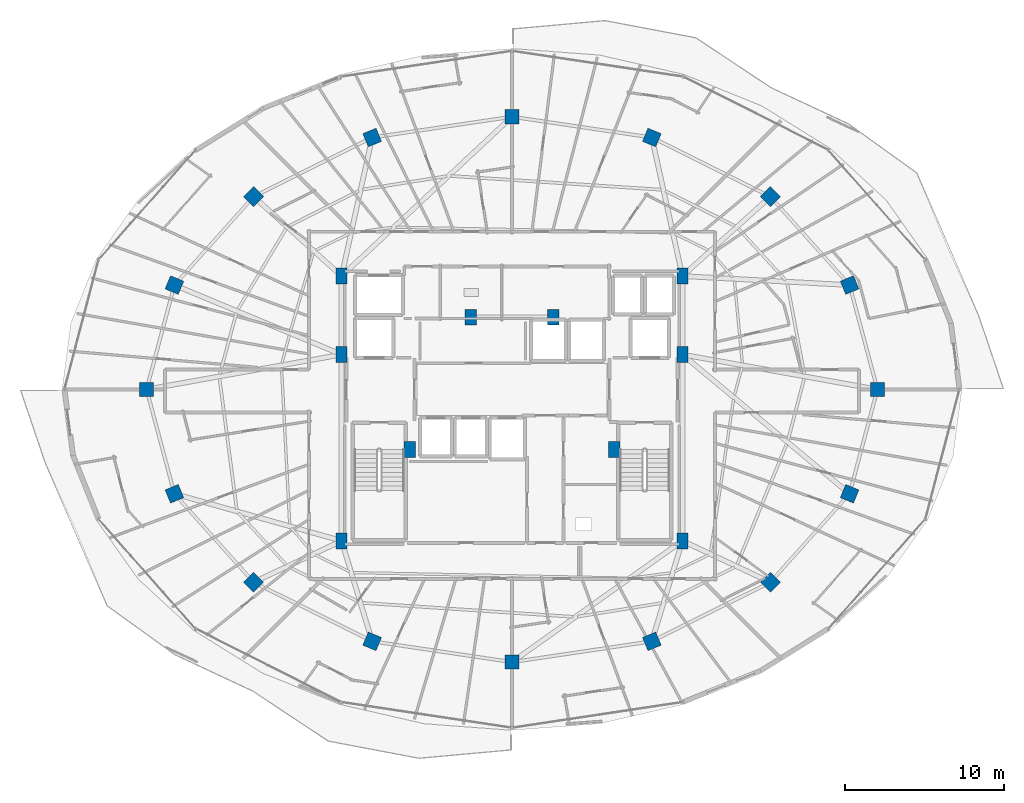
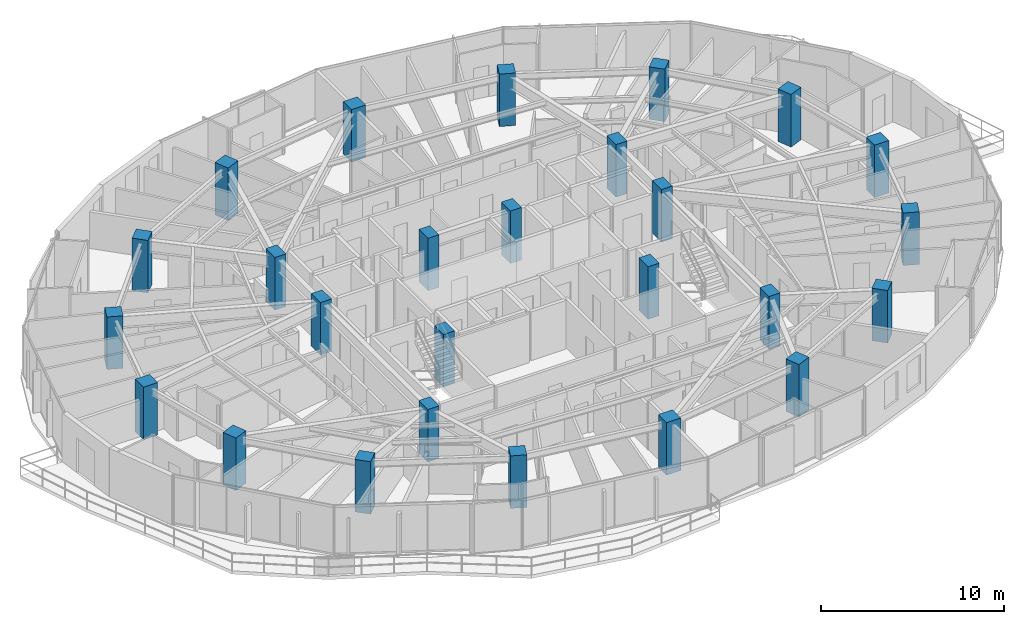
# One storey, part 1 of 33: 26 columns.
"""IFC4 building model written with IfcOpenShell, lengths in metres."""

import ifcopenshell
import ifcopenshell.guid

model = None  # the IFC model being written
_history = None  # IfcOwnerHistory: only IFC2X3 demands one
_inside = {}  # id of a spatial element -> (the spatial element, [elements in it])
_under = {}  # id of a project, library or spatial element -> (it, [spatial elements below it])
_declared = {}  # id of a project -> (the project, [libraries it declares])
_typed = {}  # id of a type object -> (the type object, [elements of that type])
_made_of = {}  # id of a material, layer set ... -> (it, [elements and type objects made of it])


def new_model(schema):
    """Start an empty IFC model of exactly this schema.

    Asked for "IFC4X3", IfcOpenShell would pick the latest addendum, in which some entities
    have other attributes; the version numbers below select the first issue.
    IFC2X3 requires an IfcOwnerHistory on every rooted entity: one is made here for all.
    """
    global model, _history
    if schema == "IFC4X3":
        model = ifcopenshell.file(schema_version=(4, 3, 0, 0))
    else:
        model = ifcopenshell.file(schema=schema)
    _inside.clear()
    _under.clear()
    _declared.clear()
    _typed.clear()
    _made_of.clear()
    _history = None
    if model.schema == "IFC2X3":
        org = make("IfcOrganization", Name="unknown")
        user = make(
            "IfcPersonAndOrganization",
            ThePerson=make("IfcPerson", FamilyName="unknown"),
            TheOrganization=org,
        )
        app = make(
            "IfcApplication",
            ApplicationDeveloper=org,
            Version="unknown",
            ApplicationFullName="unknown",
            ApplicationIdentifier="unknown",
        )
        _history = make(
            "IfcOwnerHistory",
            OwningUser=user,
            OwningApplication=app,
            ChangeAction="ADDED",
            CreationDate=0,
        )
    return model


def make(cls, **values):
    """One entity of the class cls with the attributes given. An attribute that is None is left unset."""
    return model.create_entity(
        cls, **{name: value for name, value in values.items() if value is not None}
    )


def rooted(cls, **values):
    """An entity with a GlobalId (a new one), such as an element, a storey or a relation."""
    return make(cls, GlobalId=ifcopenshell.guid.new(), OwnerHistory=_history, **values)


def si_unit(unit_type, name, prefix=None):
    """IfcSIUnit, for example si_unit("LENGTHUNIT", "METRE", prefix="MILLI")."""
    return make("IfcSIUnit", UnitType=unit_type, Prefix=prefix, Name=name)


def assignment(units):
    """IfcUnitAssignment: the units of a project."""
    return None if units is None else make("IfcUnitAssignment", Units=units)


def point(xyz):
    """IfcCartesianPoint."""
    return None if xyz is None else make("IfcCartesianPoint", Coordinates=xyz)


def direction(xyz):
    """IfcDirection."""
    return None if xyz is None else make("IfcDirection", DirectionRatios=xyz)


def frame(location, z_axis=None, x_axis=None):
    """IfcAxis2Placement3D, a coordinate frame: its origin and axes. An axis left out is left unset."""
    return make(
        "IfcAxis2Placement3D",
        Location=point(location),
        Axis=direction(z_axis),
        RefDirection=direction(x_axis),
    )


def frame_2d(location, x_axis=None):
    """IfcAxis2Placement2D, a coordinate frame in the plane: its origin and x axis."""
    return make(
        "IfcAxis2Placement2D", Location=point(location), RefDirection=direction(x_axis)
    )


def origin():
    """The frame at (0, 0, 0) with its axes left unset."""
    return frame((0.0, 0.0, 0.0))


def origin_2d():
    """The frame at (0, 0) in the plane with its x axis left unset."""
    return frame_2d((0.0, 0.0))


def place(relative_to, where):
    """IfcLocalPlacement: puts the frame where relative to a parent placement (None: the world)."""
    return make(
        "IfcLocalPlacement", PlacementRelTo=relative_to, RelativePlacement=where
    )


def context(
    kind, dimensions, precision=None, world=None, true_north=None, identifier=None
):
    """IfcGeometricRepresentationContext, for example the 3D "Model" context."""
    return make(
        "IfcGeometricRepresentationContext",
        ContextIdentifier=identifier,
        ContextType=kind,
        CoordinateSpaceDimension=dimensions,
        Precision=precision,
        WorldCoordinateSystem=world,
        TrueNorth=true_north,
    )


def subcontext(parent, identifier, kind, view, scale=None):
    """IfcGeometricRepresentationSubContext, for example "Body" below "Model"."""
    return make(
        "IfcGeometricRepresentationSubContext",
        ContextIdentifier=identifier,
        ContextType=kind,
        ParentContext=parent,
        TargetScale=scale,
        TargetView=view,
    )


def project(units=None, contexts=None):
    """IfcProject with its units and contexts."""
    return rooted(
        "IfcProject",
        Name="project",
        RepresentationContexts=contexts,
        UnitsInContext=assignment(units),
    )


def spatial(cls, under=None, at=None, **own):
    """A site, building, storey or space (cls), placed at a placement, below another one or the project."""
    s = rooted(cls, ObjectPlacement=at, **own)
    if under is not None:
        _under.setdefault(under.id(), (under, []))[1].append(s)
    return s


def profile(cls, at=None, kind="AREA", **sizes):
    """A parametric profile (cls). Its sizes go by their IFC names, for example OverallWidth=200.0."""
    return make(cls, ProfileType=kind, Position=at, **sizes)


def rectangle(**sizes):
    """IfcRectangleProfileDef."""
    return profile("IfcRectangleProfileDef", **sizes)


def extrude(swept, where, along, depth):
    """IfcExtrudedAreaSolid: the profile swept, set in the frame where, extruded along a direction by depth."""
    return make(
        "IfcExtrudedAreaSolid",
        SweptArea=swept,
        Position=where,
        ExtrudedDirection=direction(along),
        Depth=depth,
    )


def shape(context_of_items, identifier, shape_type, items):
    """IfcShapeRepresentation: the items that make up one representation, for example the "Body"."""
    return make(
        "IfcShapeRepresentation",
        ContextOfItems=context_of_items,
        RepresentationIdentifier=identifier,
        RepresentationType=shape_type,
        Items=items,
    )


def material(Name=None, Category=None):
    """IfcMaterial."""
    return make("IfcMaterial", Name=Name, Category=Category)


def material_profile(
    of_material, cross_section, Name=None, Category=None, Priority=None
):
    """IfcMaterialProfile: a cross section and its material."""
    return make(
        "IfcMaterialProfile",
        Name=Name,
        Material=of_material,
        Profile=cross_section,
        Priority=Priority,
        Category=Category,
    )


def profile_set(profiles, Name=None, composite=None):
    """IfcMaterialProfileSet."""
    return make(
        "IfcMaterialProfileSet",
        Name=Name,
        MaterialProfiles=profiles,
        CompositeProfile=composite,
    )


def made_of(thing, what):
    """Note that an element or type object is made of a material, layer set ...; save() writes the relation."""
    if what is not None:
        _made_of.setdefault(what.id(), (what, []))[1].append(thing)
    return thing


def type_object(cls, material=None, **own):
    """A type object (cls), such as IfcWallType, which elements share."""
    return made_of(rooted(cls, **own), material)


def element(
    cls,
    number,
    at=None,
    inside=None,
    cuts=None,
    type_object=None,
    material=None,
    context=None,
    identifier="Body",
    shape_type=None,
    held_by="IfcProductDefinitionShape",
    body=None,
    shapes=None,
    **own,
):
    """One element of the class cls, such as IfcWall. Its Tag is "e" and its number.

    at: its placement. inside: the storey or other place that contains it. cuts: it is an
    opening in that element (IfcRelVoidsElement). A single representation is given by context,
    identifier, shape_type and body (its items); several are given by shapes. held_by: the class
    of the entity that holds the representations. save() writes the other relations.
    """
    e = rooted(cls, Tag="e%d" % number, ObjectPlacement=at, **own)
    if body is not None:
        shapes = [shape(context, identifier, shape_type, body)]
    if shapes is not None:
        e.Representation = make(held_by, Representations=shapes)
    if inside is not None:
        _inside.setdefault(inside.id(), (inside, []))[1].append(e)
    if cuts is not None:
        rooted(
            "IfcRelVoidsElement", RelatingBuildingElement=cuts, RelatedOpeningElement=e
        )
    if type_object is not None:
        _typed.setdefault(type_object.id(), (type_object, []))[1].append(e)
    return made_of(e, material)


def aggregate(whole, parts):
    """IfcRelAggregates: a whole, such as a stair, and the parts it consists of."""
    return rooted("IfcRelAggregates", RelatingObject=whole, RelatedObjects=parts)


def save(model, path):
    """Write the relations noted so far, then the file.

    IfcRelAggregates (storeys below a building ...), IfcRelContainedInSpatialStructure (elements
    in a storey), IfcRelDefinesByType, IfcRelAssociatesMaterial and IfcRelDeclares: one each for
    every whole, place, type object, material and project.
    """
    for whole, parts in _under.values():
        aggregate(whole, parts)
    for where, things in _inside.values():
        rooted(
            "IfcRelContainedInSpatialStructure",
            RelatedElements=things,
            RelatingStructure=where,
        )
    for kind, things in _typed.values():
        rooted("IfcRelDefinesByType", RelatedObjects=things, RelatingType=kind)
    for what, things in _made_of.values():
        rooted("IfcRelAssociatesMaterial", RelatedObjects=things, RelatingMaterial=what)
    for by, libraries in _declared.values():
        rooted("IfcRelDeclares", RelatingContext=by, RelatedDefinitions=libraries)
    model.write(path)


model = new_model("IFC4")

# Units and contexts
model_context = context("Model", 3, precision=1e-05, world=origin(), true_north=direction((0.0, 1.0)))
body_context = subcontext(model_context, "Body", "Model", "MODEL_VIEW")
ifc_project = project(units=[si_unit("LENGTHUNIT", "METRE"), si_unit("AREAUNIT", "SQUARE_METRE"), si_unit("VOLUMEUNIT", "CUBIC_METRE"), si_unit("PLANEANGLEUNIT", "RADIAN"), si_unit("MASSUNIT", "GRAM", prefix="KILO")], contexts=[model_context])

# Site, building, storey
site_placement = place(None, origin())
site = spatial("IfcSite", under=ifc_project, at=site_placement, CompositionType="ELEMENT")
building_placement = place(site_placement, origin())
building = spatial("IfcBuilding", under=site, at=building_placement, Name="Vorneva Point Tower", CompositionType="ELEMENT")
storey_placement = place(building_placement, frame((0.0, 0.0, 179.10009765625)))
storey = spatial("IfcBuildingStorey", under=building, at=storey_placement, Name="L48", CompositionType="ELEMENT", Elevation=179.10009765625)

# Columns
ifc_material = material(Name="Concrete B50 (C40/50)", Category="concrete")
ifc_material_profile_1 = material_profile(ifc_material, rectangle(XDim=0.89990234375, YDim=0.89990234375, at=origin_2d()), Name="RC-COL 900x900")
ifc_profile_set_1 = profile_set([ifc_material_profile_1], Name="Concrete B50 (C40/50)")
column_type_1 = type_object("IfcColumnType", Name="COL-RC900", PredefinedType="COLUMN", material=ifc_profile_set_1)
for number, where, z_axis, x_axis, name in (
    (1, (61.050048828125, 26.0, 0.0), (0.0, 0.0, 1.0), (1.0, 0.0, 0.0), "L48 Perimeter Column P01"),
    (2, (59.29541015625, 32.582275390625, 0.0), (0.0, 0.0, 1.0), (0.923879532511, 0.382683432365, 0.0), "L48 Perimeter Column P02"),
    (3, (54.298828125, 38.162109375, 0.0), (0.0, 0.0, 1.0), (0.707106781187, 0.707106781187, 0.0), "L48 Perimeter Column P03"),
    (4, (46.82080078125, 41.890625, 0.0), (0.0, 0.0, 1.0), (0.382683432365, 0.923879532511, 0.0), "L48 Perimeter Column P04"),
    (5, (38.0, 43.199951171875, 0.0), (0.0, 0.0, 1.0), (0.0, 1.0, 0.0), "L48 Perimeter Column P05"),
    (6, (29.17919921875, 41.890625, 0.0), (0.0, 0.0, 1.0), (-0.382683432365, 0.923879532511, 0.0), "L48 Perimeter Column P06"),
    (7, (21.701171875, 38.162109375, 0.0), (0.0, 0.0, 1.0), (-0.707106781187, 0.707106781187, 0.0), "L48 Perimeter Column P07"),
    (8, (16.70458984375, 32.582275390625, 0.0), (0.0, 0.0, 1.0), (-0.923879532511, 0.382683432365, 0.0), "L48 Perimeter Column P08"),
    (9, (14.949951171875, 26.0, 0.0), (0.0, 0.0, 1.0), (-1.0, 0.0, 0.0), "L48 Perimeter Column P09"),
    (10, (16.70458984375, 19.417724609375, 0.0), (0.0, 0.0, 1.0), (-0.923879532511, -0.382683432365, 0.0), "L48 Perimeter Column P10"),
    (11, (21.701171875, 13.837890625, 0.0), (0.0, 0.0, 1.0), (-0.707106781187, -0.707106781187, 0.0), "L48 Perimeter Column P11"),
    (12, (29.17919921875, 10.109375, 0.0), (0.0, 0.0, 1.0), (-0.382683432365, -0.923879532511, 0.0), "L48 Perimeter Column P12"),
    (13, (38.0, 8.800048828125, 0.0), (0.0, 0.0, 1.0), (0.0, -1.0, 0.0), "L48 Perimeter Column P13"),
    (14, (46.82080078125, 10.109375, 0.0), (0.0, 0.0, 1.0), (0.382683432365, -0.923879532511, 0.0), "L48 Perimeter Column P14"),
    (15, (54.298828125, 13.837890625, 0.0), (0.0, 0.0, 1.0), (0.707106781187, -0.707106781187, 0.0), "L48 Perimeter Column P15"),
    (16, (59.29541015625, 19.417724609375, 0.0), (0.0, 0.0, 1.0), (0.923879532511, -0.382683432365, 0.0), "L48 Perimeter Column P16"),
):
    element("IfcColumn", number, at=place(storey_placement, frame(where, z_axis=z_axis, x_axis=x_axis)), inside=storey, type_object=column_type_1, Name=name, PredefinedType="COLUMN", context=body_context, shape_type="SweptSolid", body=[
        extrude(rectangle(XDim=0.89990234375, YDim=0.89990234375, at=origin_2d()), origin(), (0.0, 0.0, 1.0), 3.5),
    ])
ifc_material_profile_2 = material_profile(ifc_material, rectangle(XDim=0.699951171875, YDim=1.0, at=origin_2d()), Name="RC-PIL 1000x700")
ifc_profile_set_2 = profile_set([ifc_material_profile_2], Name="Concrete B50 (C40/50)")
column_type_2 = type_object("IfcColumnType", Name="PIL-RC1000x700", PredefinedType="PILASTER", material=ifc_profile_set_2)
for number, where, z_axis, x_axis, name in (
    (17, (27.25, 16.449951171875, 0.0), (0.0, 0.0, 1.0), (1.0, 0.0, 0.0), "L48 Core Pilaster CP1"),
    (18, (27.25, 28.199951171875, 0.0), (0.0, 0.0, 1.0), (1.0, 0.0, 0.0), "L48 Core Pilaster CP2"),
    (19, (27.25, 33.14990234375, 0.0), (0.0, 0.0, 1.0), (1.0, 0.0, 0.0), "L48 Core Pilaster CP3"),
    (20, (31.550048828125, 22.199951171875, 0.0), (0.0, 0.0, 1.0), (1.0, 0.0, 0.0), "L48 Core Pilaster CP4"),
    (21, (48.75, 33.14990234375, 0.0), (0.0, 0.0, 1.0), (1.0, 0.0, 0.0), "L48 Core Pilaster CP5"),
    (22, (48.75, 28.199951171875, 0.0), (0.0, 0.0, 1.0), (1.0, 0.0, 0.0), "L48 Core Pilaster CP6"),
    (23, (48.75, 16.449951171875, 0.0), (0.0, 0.0, 1.0), (1.0, 0.0, 0.0), "L48 Core Pilaster CP7"),
    (24, (44.449951171875, 22.199951171875, 0.0), (0.0, 0.0, 1.0), (1.0, 0.0, 0.0), "L48 Core Pilaster CP8"),
    (25, (35.39990234375, 30.550048828125, 0.0), (0.0, 0.0, 1.0), (1.0, 0.0, 0.0), "L48 Core Pilaster CP9"),
    (26, (40.60009765625, 30.550048828125, 0.0), (0.0, 0.0, 1.0), (1.0, 0.0, 0.0), "L48 Core Pilaster CP10"),
):
    element("IfcColumn", number, at=place(storey_placement, frame(where, z_axis=z_axis, x_axis=x_axis)), inside=storey, type_object=column_type_2, Name=name, PredefinedType="PILASTER", context=body_context, shape_type="SweptSolid", body=[
        extrude(rectangle(XDim=0.699951171875, YDim=1.0, at=origin_2d()), origin(), (0.0, 0.0, 1.0), 3.5),
    ])

save(model, "model.ifc")
